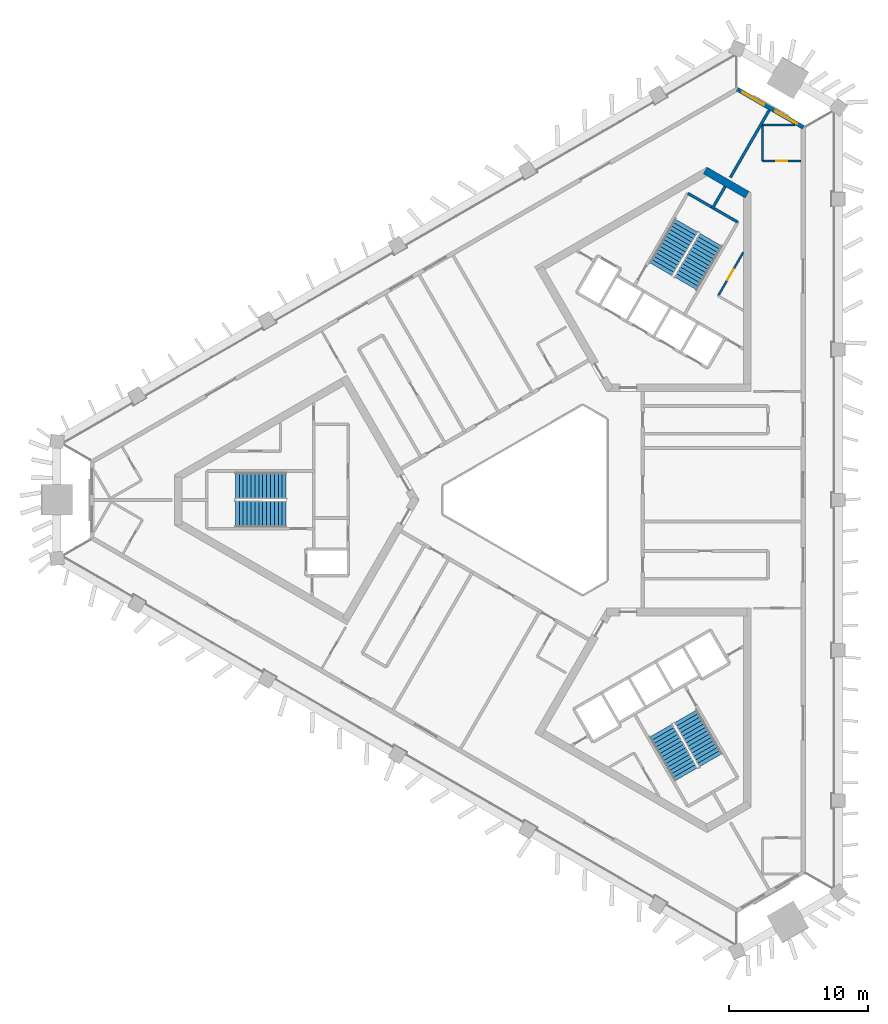
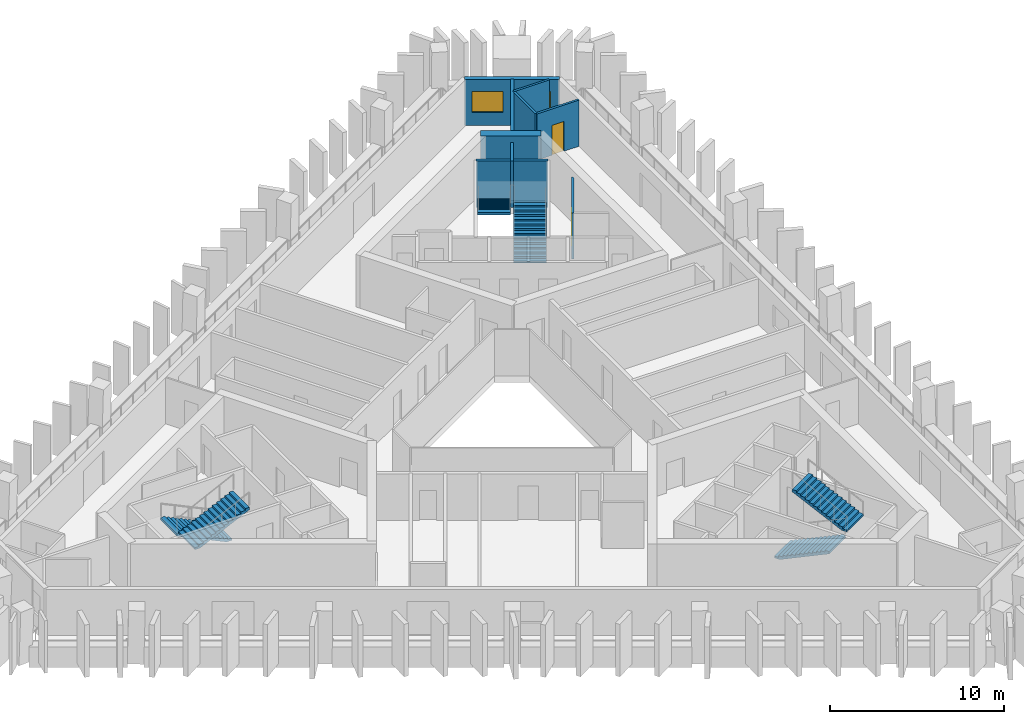
# One storey, part 6 of 9: 9 walls, 6 stair flights, 2 doors, 2 windows, 4 openings, 3 elements without a shape of their own.
"""IFC4 building model written with IfcOpenShell, lengths in metres."""

from ifc_helpers import new_model, si_unit, direction, frame, frame_2d, origin, place, context, subcontext, project, spatial, polyline, rectangle, outline, extrude, material, layer, layer_set, type_object, element, fill, aggregate, save


model = new_model("IFC4")

# Units and contexts
model_context = context("Model", 3, precision=1e-05, world=origin(), true_north=direction((0.0, 1.0)))
body_context = subcontext(model_context, "Body", "Model", "MODEL_VIEW")
ifc_project = project(units=[si_unit("LENGTHUNIT", "METRE"), si_unit("AREAUNIT", "SQUARE_METRE"), si_unit("VOLUMEUNIT", "CUBIC_METRE"), si_unit("PLANEANGLEUNIT", "RADIAN"), si_unit("MASSUNIT", "GRAM", prefix="KILO")], contexts=[model_context])

# Site, building, storey
site_placement = place(None, origin())
site = spatial("IfcSite", under=ifc_project, at=site_placement, CompositionType="ELEMENT")
building_placement = place(site_placement, origin())
building = spatial("IfcBuilding", under=site, at=building_placement, Name="Jabali Bay Hotel Tower and Convention Centre", CompositionType="ELEMENT")
storey_placement = place(building_placement, frame((0.0, 0.0, 171.10009765625)))
storey = spatial("IfcBuildingStorey", under=building, at=storey_placement, Name="L41", CompositionType="ELEMENT", Elevation=171.10009765625)

# Wall
ifc_material_1 = material(Name="Concrete C40", Category="concrete")
ifc_layer_1 = layer(ifc_material_1, 0.199951171875)
ifc_layer_set_1 = layer_set([ifc_layer_1], Name="Concrete C40")
wall_type_1 = type_object("IfcWallType", Name="Core partition wall 200", PredefinedType="PARTITIONING", material=ifc_layer_set_1)
wall_1_placement = place(storey_placement, frame((87.090087890625, 100.9404296875, 0.0), z_axis=(0.0, 0.0, 1.0), x_axis=(0.499951854219, 0.86605319898, 0.0)))
element("IfcWall", 1, at=wall_1_placement, inside=storey, type_object=wall_type_1, Name="Core wall 1.5 L41", PredefinedType="PARTITIONING", context=body_context, shape_type="SweptSolid", body=[
    extrude(rectangle(XDim=1.873291015625, YDim=0.199951171875, at=frame_2d((0.9365234375, 0.0))), origin(), (0.0, 0.0, 1.0), 3.25),
])

# Wall, opening, door
ifc_material_2 = material(Name="Fire-rated board partition")
ifc_layer_2 = layer(ifc_material_2, 0.14990234375)
ifc_layer_set_2 = layer_set([ifc_layer_2], Name="Fire-rated board partition")
wall_type_2 = type_object("IfcWallType", Name="Core room partition 150", PredefinedType="PARTITIONING", material=ifc_layer_set_2)
wall_2_placement = place(storey_placement, frame((87.52099609375, 94.687255859375, 0.0), z_axis=(0.0, 0.0, 1.0), x_axis=(0.500043727655, 0.866000156139, 0.0)))
wall_2 = element("IfcWall", 2, at=wall_2_placement, inside=storey, type_object=wall_type_2, Name="Core wall 1.1 L41", PredefinedType="PARTITIONING", context=body_context, shape_type="SweptSolid", body=[
    extrude(rectangle(XDim=3.617919921875, YDim=0.14990234375, at=frame_2d((1.80908203125, 0.0))), origin(), (0.0, 0.0, 1.0), 3.25),
])
opening_1_placement = place(wall_2_placement, frame((1.33154296875, 0.0, 0.0)))
opening_1 = element("IfcOpeningElement", 3, at=opening_1_placement, cuts=wall_2, Name="Opening D898", PredefinedType="OPENING", context=body_context, shape_type="SweptSolid", body=[
    extrude(rectangle(XDim=0.89990234375, YDim=2.10009765625, at=frame_2d((0.449951171875, 1.050048828125))), frame((0.0, 0.08544921875, 0.0), z_axis=(0.0, -1.0, 0.0), x_axis=(1.0, 0.0, 0.0)), (0.0, 0.0, 1.0), 0.1708984375),
])
ifc_material_3 = material(Name="Fire-rated steel door", Category="steel")
door_type_1 = type_object("IfcDoorType", Name="Core room door 900 x 2100", OperationType="NOTDEFINED", PredefinedType="NOTDEFINED", material=ifc_material_3)
door_1_placement = place(opening_1_placement, origin())
door_1 = element("IfcDoor", 4, at=door_1_placement, inside=storey, type_object=door_type_1, Name="Core room door D898", OperationType="SINGLE_SWING_LEFT", OverallHeight=2.10009765625, OverallWidth=0.89990234375, PredefinedType="NOTDEFINED", context=body_context, shape_type="SweptSolid", body=[
    extrude(rectangle(XDim=0.89990234375, YDim=2.10009765625, at=frame_2d((0.449951171875, 1.050048828125))), frame((0.0, 0.02490234375, 0.0), z_axis=(0.0, -1.0, 0.0), x_axis=(1.0, 0.0, 0.0)), (0.0, 0.0, 1.0), 0.050048828125),
])
fill(opening_1, door_1)

# Walls
ifc_layer_3 = layer(ifc_material_1, 0.199951171875)
ifc_layer_set_3 = layer_set([ifc_layer_3], Name="Concrete C40")
wall_type_3 = type_object("IfcWallType", Name="Core stair wall 200", PredefinedType="SOLIDWALL", material=ifc_layer_set_3)
wall_3_placement = place(storey_placement, frame((88.93701171875, 99.989501953125, 0.0), z_axis=(0.0, 0.0, 1.0), x_axis=(-0.866004344652, 0.500036473714, 0.0)))
element("IfcWall", 5, at=wall_3_placement, inside=storey, type_object=wall_type_3, Name="Core wall 1.15 L41", PredefinedType="SOLIDWALL", context=body_context, shape_type="SweptSolid", body=[
    extrude(rectangle(XDim=4.150146484375, YDim=0.199951171875, at=frame_2d((2.0751953125, 0.0))), origin(), (0.0, 0.0, 1.0), 3.25),
])
ifc_material_4 = material(Name="Concrete C60", Category="concrete")
ifc_layer_4 = layer(ifc_material_4, 0.550048828125)
ifc_layer_set_4 = layer_set([ifc_layer_4], Name="Concrete C60")
wall_type_4 = type_object("IfcWallType", Name="Core wall 550", PredefinedType="SHEAR", material=ifc_layer_set_4)
wall_4_placement = place(storey_placement, frame((89.60498046875, 101.96875, 0.0), z_axis=(0.0, 0.0, 1.0), x_axis=(-0.865997833373, 0.500047750313, 0.0)))
element("IfcWall", 6, at=wall_4_placement, inside=storey, type_object=wall_type_4, Name="Core wall 2.3 L41", PredefinedType="SHEAR", context=body_context, shape_type="SweptSolid", body=[
    extrude(rectangle(XDim=3.486572265625, YDim=0.550048828125, at=frame_2d((1.7431640625, 0.0))), origin(), (0.0, 0.0, 1.0), 3.699951171875),
])

# Wall, openings, windows
ifc_layer_5 = layer(ifc_material_1, 0.300048828125)
ifc_layer_set_5 = layer_set([ifc_layer_5], Name="Concrete C40")
wall_type_5 = type_object("IfcWallType", Name="External wall 300", PredefinedType="SOLIDWALL", material=ifc_layer_set_5)
wall_5_placement = place(storey_placement, frame((88.89892578125, 109.561279296875, 0.0), z_axis=(0.0, 0.0, 1.0), x_axis=(0.866038895281, -0.499976631314, 0.0)))
wall_5 = element("IfcWall", 7, at=wall_5_placement, inside=storey, type_object=wall_type_5, Name="External wall north-east chamfer L41", PredefinedType="SOLIDWALL", context=body_context, shape_type="SweptSolid", body=[
    extrude(rectangle(XDim=5.487548828125, YDim=0.300048828125, at=frame_2d((2.74365234375, 0.0))), origin(), (0.0, 0.0, 1.0), 3.25),
])
opening_2_placement = place(wall_5_placement, frame((3.169677734375, 0.0, 0.89990234375)))
opening_2 = element("IfcOpeningElement", 8, at=opening_2_placement, cuts=wall_5, Name="Opening W1", PredefinedType="OPENING", context=body_context, shape_type="SweptSolid", body=[
    extrude(rectangle(XDim=1.800048828125, YDim=1.5, at=frame_2d((0.89990234375, 0.75))), frame((0.0, 0.16064453125, 0.0), z_axis=(0.0, -1.0, 0.0), x_axis=(1.0, 0.0, 0.0)), (0.0, 0.0, 1.0), 0.321044921875),
])
opening_3_placement = place(wall_5_placement, frame((0.428955078125, 0.0, 0.89990234375)))
opening_3 = element("IfcOpeningElement", 9, at=opening_3_placement, cuts=wall_5, Name="Opening W1", PredefinedType="OPENING", context=body_context, shape_type="SweptSolid", body=[
    extrude(rectangle(XDim=1.800048828125, YDim=1.5, at=frame_2d((0.89990234375, 0.75))), frame((0.0, 0.16064453125, 0.0), z_axis=(0.0, -1.0, 0.0), x_axis=(1.0, 0.0, 0.0)), (0.0, 0.0, 1.0), 0.321044921875),
])
ifc_material_5 = material(Name="Glass", Category="glass")
window_type = type_object("IfcWindowType", Name="Window 1800 x 1500", PartitioningType="SINGLE_PANEL", PredefinedType="WINDOW", material=ifc_material_5)
window_1_placement = place(opening_2_placement, origin())
window_1 = element("IfcWindow", 10, at=window_1_placement, inside=storey, type_object=window_type, Name="Window 4103", OverallHeight=1.5, OverallWidth=1.800048828125, PartitioningType="SINGLE_PANEL", PredefinedType="WINDOW", context=body_context, shape_type="SweptSolid", body=[
    extrude(rectangle(XDim=1.800048828125, YDim=1.5, at=frame_2d((0.89990234375, 0.75))), frame((0.0, 0.030029296875, 0.0), z_axis=(0.0, -1.0, 0.0), x_axis=(1.0, 0.0, 0.0)), (0.0, 0.0, 1.0), 0.06005859375),
])
fill(opening_2, window_1)
window_2_placement = place(opening_3_placement, origin())
window_2 = element("IfcWindow", 11, at=window_2_placement, inside=storey, type_object=window_type, Name="Window 4105", OverallHeight=1.5, OverallWidth=1.800048828125, PartitioningType="SINGLE_PANEL", PredefinedType="WINDOW", context=body_context, shape_type="SweptSolid", body=[
    extrude(rectangle(XDim=1.800048828125, YDim=1.5, at=frame_2d((0.89990234375, 0.75))), frame((0.0, 0.030029296875, 0.0), z_axis=(0.0, -1.0, 0.0), x_axis=(1.0, 0.0, 0.0)), (0.0, 0.0, 1.0), 0.06005859375),
])
fill(opening_3, window_2)

# Wall, opening, door
ifc_material_6 = material(Name="Plasterboard on steel stud", Category="steel")
ifc_layer_6 = layer(ifc_material_6, 0.14990234375)
ifc_layer_set_6 = layer_set([ifc_layer_6], Name="Plasterboard on steel stud")
wall_type_6 = type_object("IfcWallType", Name="Partition 150 wet", PredefinedType="PARTITIONING", material=ifc_layer_set_6)
wall_6_placement = place(storey_placement, frame((93.50244140625, 104.394287109375, 0.0), z_axis=(0.0, 0.0, 1.0), x_axis=(-1.0, 0.0, 0.0)))
wall_6 = element("IfcWall", 12, at=wall_6_placement, inside=storey, type_object=wall_type_6, Name="Partition P03 L41 015", PredefinedType="PARTITIONING", context=body_context, shape_type="SweptSolid", body=[
    extrude(rectangle(XDim=2.80078125, YDim=0.14990234375, at=frame_2d((1.400390625, 0.0))), origin(), (0.0, 0.0, 1.0), 3.25),
])
opening_4_placement = place(wall_6_placement, frame((1.0, 0.0, 0.0)))
opening_4 = element("IfcOpeningElement", 13, at=opening_4_placement, cuts=wall_6, Name="Opening 4108", PredefinedType="OPENING", context=body_context, shape_type="SweptSolid", body=[
    extrude(rectangle(XDim=0.800048828125, YDim=2.10009765625, at=frame_2d((0.39990234375, 1.050048828125))), frame((0.0, 0.08544921875, 0.0), z_axis=(0.0, -1.0, 0.0), x_axis=(1.0, 0.0, 0.0)), (0.0, 0.0, 1.0), 0.1708984375),
])
ifc_material_7 = material(Name="Timber", Category="wood")
door_type_2 = type_object("IfcDoorType", Name="En-suite door 800 x 2100", OperationType="NOTDEFINED", PredefinedType="NOTDEFINED", material=ifc_material_7)
door_2_placement = place(opening_4_placement, origin())
door_2 = element("IfcDoor", 14, at=door_2_placement, inside=storey, type_object=door_type_2, Name="Door 4108", OperationType="SINGLE_SWING_RIGHT", OverallHeight=2.10009765625, OverallWidth=0.800048828125, PredefinedType="NOTDEFINED", context=body_context, shape_type="SweptSolid", body=[
    extrude(rectangle(XDim=0.800048828125, YDim=2.10009765625, at=frame_2d((0.39990234375, 1.050048828125))), frame((0.0, 0.02490234375, 0.0), z_axis=(0.0, -1.0, 0.0), x_axis=(1.0, 0.0, 0.0)), (0.0, 0.0, 1.0), 0.050048828125),
])
fill(opening_4, door_2)

# Walls
wall_7_placement = place(storey_placement, frame((90.70166015625, 104.394287109375, 0.0), z_axis=(0.0, 0.0, 1.0), x_axis=(0.0, 1.0, 0.0)))
element("IfcWall", 15, at=wall_7_placement, inside=storey, type_object=wall_type_6, Name="Partition P03 L41 016", PredefinedType="PARTITIONING", context=body_context, shape_type="SweptSolid", body=[
    extrude(rectangle(XDim=2.599853515625, YDim=0.14990234375, at=frame_2d((1.2998046875, 0.0))), origin(), (0.0, 0.0, 1.0), 3.25),
])
wall_8_placement = place(storey_placement, frame((90.70166015625, 106.994140625, 0.0), z_axis=(0.0, 0.0, 1.0), x_axis=(1.0, 0.0, 0.0)))
element("IfcWall", 16, at=wall_8_placement, inside=storey, type_object=wall_type_6, Name="Partition P03 L41 017", PredefinedType="PARTITIONING", context=body_context, shape_type="SweptSolid", body=[
    extrude(rectangle(XDim=2.345703125, YDim=0.14990234375, at=frame_2d((1.1728515625, 0.0))), origin(), (0.0, 0.0, 1.0), 3.25),
])
ifc_layer_7 = layer(ifc_material_6, 0.199951171875)
ifc_layer_set_7 = layer_set([ifc_layer_7], Name="Plasterboard on steel stud")
wall_type_7 = type_object("IfcWallType", Name="Partition 200 party", PredefinedType="PARTITIONING", material=ifc_layer_set_7)
wall_9_placement = place(storey_placement, frame((91.20166015625, 108.059814453125, 0.0), z_axis=(0.0, 0.0, 1.0), x_axis=(-0.500021875362, -0.86601277367, 0.0)))
element("IfcWall", 17, at=wall_9_placement, inside=storey, type_object=wall_type_7, Name="Partition P01 L41 018", PredefinedType="PARTITIONING", context=body_context, shape_type="SweptSolid", body=[
    extrude(rectangle(XDim=5.599365234375, YDim=0.199951171875, at=frame_2d((2.7998046875, 0.0))), origin(), (0.0, 0.0, 1.0), 3.25),
])

# Stair, stair flights
stair_type = type_object("IfcStairType", Name="Exit stair 1900", PredefinedType="HALF_TURN_STAIR", material=ifc_material_1)
stair_1_placement = place(storey_placement, origin())
stair_1 = element("IfcStair", 18, at=stair_1_placement, inside=storey, type_object=stair_type, Name="L41 Exit Stair 1", PredefinedType="HALF_TURN_STAIR")
stair_flight_type = type_object("IfcStairFlightType", Name="Stair flight concrete 150", PredefinedType="STRAIGHT", material=ifc_material_1)
stair_flight_1_placement = place(storey_placement, frame((56.419921875, 81.02490234375, 0.0), z_axis=(0.0, 0.0, 1.0), x_axis=(-1.0, 0.0, 0.0)))
stair_flight_1 = element("IfcStairFlight", 19, at=stair_flight_1_placement, type_object=stair_flight_type, Name="ST1 flight 1", NumberOfRisers=14, NumberOfTreads=13, PredefinedType="STRAIGHT", RiserHeight=0.132142857, TreadLength=0.28, context=body_context, shape_type="SweptSolid", body=[
    extrude(outline(polyline([(0.0, 0.0), (0.0, 0.132080078125), (0.280029296875, 0.132080078125), (0.280029296875, 0.264404296875), (0.56005859375, 0.264404296875), (0.56005859375, 0.396484375), (0.840087890625, 0.396484375), (0.840087890625, 0.528564453125), (1.1201171875, 0.528564453125), (1.1201171875, 0.66064453125), (1.39990234375, 0.66064453125), (1.39990234375, 0.79296875), (1.679931640625, 0.79296875), (1.679931640625, 0.925048828125), (1.9599609375, 0.925048828125), (1.9599609375, 1.05712890625), (2.239990234375, 1.05712890625), (2.239990234375, 1.189208984375), (2.52001953125, 1.189208984375), (2.52001953125, 1.321533203125), (2.800048828125, 1.321533203125), (2.800048828125, 1.45361328125), (3.080078125, 1.45361328125), (3.080078125, 1.585693359375), (3.360107421875, 1.585693359375), (3.360107421875, 1.7177734375), (3.639892578125, 1.7177734375), (3.639892578125, 1.85009765625), (3.639892578125, 1.552001953125), (0.351318359375, 0.0), (0.0, 0.0)])), frame((0.0, 0.949951171875, 0.0), z_axis=(0.0, -1.0, 0.0), x_axis=(1.0, 0.0, 0.0)), (0.0, 0.0, 1.0), 1.89990234375),
])
stair_flight_2_placement = place(storey_placement, frame((52.780029296875, 78.97509765625, 1.849853515625), z_axis=(0.0, 0.0, 1.0), x_axis=(1.0, 0.0, 0.0)))
stair_flight_2 = element("IfcStairFlight", 20, at=stair_flight_2_placement, type_object=stair_flight_type, Name="ST1 flight 2", NumberOfRisers=14, NumberOfTreads=13, PredefinedType="STRAIGHT", RiserHeight=0.132142857, TreadLength=0.28, context=body_context, shape_type="SweptSolid", body=[
    extrude(outline(polyline([(0.0, 0.0), (0.0, 0.132080078125), (0.280029296875, 0.132080078125), (0.280029296875, 0.264404296875), (0.56005859375, 0.264404296875), (0.56005859375, 0.396484375), (0.840087890625, 0.396484375), (0.840087890625, 0.528564453125), (1.1201171875, 0.528564453125), (1.1201171875, 0.66064453125), (1.39990234375, 0.66064453125), (1.39990234375, 0.79296875), (1.679931640625, 0.79296875), (1.679931640625, 0.925048828125), (1.9599609375, 0.925048828125), (1.9599609375, 1.05712890625), (2.239990234375, 1.05712890625), (2.239990234375, 1.189208984375), (2.52001953125, 1.189208984375), (2.52001953125, 1.321533203125), (2.800048828125, 1.321533203125), (2.800048828125, 1.45361328125), (3.080078125, 1.45361328125), (3.080078125, 1.585693359375), (3.360107421875, 1.585693359375), (3.360107421875, 1.7177734375), (3.639892578125, 1.7177734375), (3.639892578125, 1.85009765625), (3.639892578125, 1.552001953125), (0.351318359375, 0.0), (0.0, 0.0)])), frame((0.0, 0.949951171875, 0.0), z_axis=(0.0, -1.0, 0.0), x_axis=(1.0, 0.0, 0.0)), (0.0, 0.0, 1.0), 1.89990234375),
])
aggregate(stair_1, [stair_flight_1, stair_flight_2])

stair_2_placement = place(storey_placement, origin())
stair_2 = element("IfcStair", 21, at=stair_2_placement, inside=storey, type_object=stair_type, Name="L41 Exit Stair 2", PredefinedType="HALF_TURN_STAIR")
stair_flight_3_placement = place(storey_placement, frame((85.177734375, 95.578369140625, 0.0), z_axis=(0.0, 0.0, 1.0), x_axis=(0.5, 0.866025403784, 0.0)))
stair_flight_3 = element("IfcStairFlight", 22, at=stair_flight_3_placement, type_object=stair_flight_type, Name="ST2 flight 1", NumberOfRisers=14, NumberOfTreads=13, PredefinedType="STRAIGHT", RiserHeight=0.132142857, TreadLength=0.28, context=body_context, shape_type="SweptSolid", body=[
    extrude(outline(polyline([(0.0, 0.0), (0.0, 0.132080078125), (0.280029296875, 0.132080078125), (0.280029296875, 0.264404296875), (0.56005859375, 0.264404296875), (0.56005859375, 0.396484375), (0.840087890625, 0.396484375), (0.840087890625, 0.528564453125), (1.1201171875, 0.528564453125), (1.1201171875, 0.66064453125), (1.39990234375, 0.66064453125), (1.39990234375, 0.79296875), (1.679931640625, 0.79296875), (1.679931640625, 0.925048828125), (1.9599609375, 0.925048828125), (1.9599609375, 1.05712890625), (2.239990234375, 1.05712890625), (2.239990234375, 1.189208984375), (2.52001953125, 1.189208984375), (2.52001953125, 1.321533203125), (2.800048828125, 1.321533203125), (2.800048828125, 1.45361328125), (3.080078125, 1.45361328125), (3.080078125, 1.585693359375), (3.360107421875, 1.585693359375), (3.360107421875, 1.7177734375), (3.639892578125, 1.7177734375), (3.639892578125, 1.85009765625), (3.639892578125, 1.552001953125), (0.351318359375, 0.0), (0.0, 0.0)])), frame((0.0, 0.949951171875, 0.0), z_axis=(0.0, -1.0, 0.0), x_axis=(1.0, 0.0, 0.0)), (0.0, 0.0, 1.0), 1.89990234375),
])
stair_flight_4_placement = place(storey_placement, frame((85.222412109375, 99.755615234375, 1.849853515625), z_axis=(0.0, 0.0, 1.0), x_axis=(-0.5, -0.866025403784, 0.0)))
stair_flight_4 = element("IfcStairFlight", 23, at=stair_flight_4_placement, type_object=stair_flight_type, Name="ST2 flight 2", NumberOfRisers=14, NumberOfTreads=13, PredefinedType="STRAIGHT", RiserHeight=0.132142857, TreadLength=0.28, context=body_context, shape_type="SweptSolid", body=[
    extrude(outline(polyline([(0.0, 0.0), (0.0, 0.132080078125), (0.280029296875, 0.132080078125), (0.280029296875, 0.264404296875), (0.56005859375, 0.264404296875), (0.56005859375, 0.396484375), (0.840087890625, 0.396484375), (0.840087890625, 0.528564453125), (1.1201171875, 0.528564453125), (1.1201171875, 0.66064453125), (1.39990234375, 0.66064453125), (1.39990234375, 0.79296875), (1.679931640625, 0.79296875), (1.679931640625, 0.925048828125), (1.9599609375, 0.925048828125), (1.9599609375, 1.05712890625), (2.239990234375, 1.05712890625), (2.239990234375, 1.189208984375), (2.52001953125, 1.189208984375), (2.52001953125, 1.321533203125), (2.800048828125, 1.321533203125), (2.800048828125, 1.45361328125), (3.080078125, 1.45361328125), (3.080078125, 1.585693359375), (3.360107421875, 1.585693359375), (3.360107421875, 1.7177734375), (3.639892578125, 1.7177734375), (3.639892578125, 1.85009765625), (3.639892578125, 1.552001953125), (0.351318359375, 0.0), (0.0, 0.0)])), frame((0.0, 0.949951171875, 0.0), z_axis=(0.0, -1.0, 0.0), x_axis=(1.0, 0.0, 0.0)), (0.0, 0.0, 1.0), 1.89990234375),
])
aggregate(stair_2, [stair_flight_3, stair_flight_4])

stair_3_placement = place(storey_placement, origin())
stair_3 = element("IfcStair", 24, at=stair_3_placement, inside=storey, type_object=stair_type, Name="L41 Exit Stair 3", PredefinedType="HALF_TURN_STAIR")
stair_flight_5_placement = place(storey_placement, frame((83.40234375, 63.396728515625, 0.0), z_axis=(0.0, 0.0, 1.0), x_axis=(0.5, -0.866025403784, 0.0)))
stair_flight_5 = element("IfcStairFlight", 25, at=stair_flight_5_placement, type_object=stair_flight_type, Name="ST3 flight 1", NumberOfRisers=14, NumberOfTreads=13, PredefinedType="STRAIGHT", RiserHeight=0.132142857, TreadLength=0.28, context=body_context, shape_type="SweptSolid", body=[
    extrude(outline(polyline([(0.0, 0.0), (0.0, 0.132080078125), (0.280029296875, 0.132080078125), (0.280029296875, 0.264404296875), (0.56005859375, 0.264404296875), (0.56005859375, 0.396484375), (0.840087890625, 0.396484375), (0.840087890625, 0.528564453125), (1.1201171875, 0.528564453125), (1.1201171875, 0.66064453125), (1.39990234375, 0.66064453125), (1.39990234375, 0.79296875), (1.679931640625, 0.79296875), (1.679931640625, 0.925048828125), (1.9599609375, 0.925048828125), (1.9599609375, 1.05712890625), (2.239990234375, 1.05712890625), (2.239990234375, 1.189208984375), (2.52001953125, 1.189208984375), (2.52001953125, 1.321533203125), (2.800048828125, 1.321533203125), (2.800048828125, 1.45361328125), (3.080078125, 1.45361328125), (3.080078125, 1.585693359375), (3.360107421875, 1.585693359375), (3.360107421875, 1.7177734375), (3.639892578125, 1.7177734375), (3.639892578125, 1.85009765625), (3.639892578125, 1.552001953125), (0.351318359375, 0.0), (0.0, 0.0)])), frame((0.0, 0.949951171875, 0.0), z_axis=(0.0, -1.0, 0.0), x_axis=(1.0, 0.0, 0.0)), (0.0, 0.0, 1.0), 1.89990234375),
])
stair_flight_6_placement = place(storey_placement, frame((86.99755859375, 61.26953125, 1.849853515625), z_axis=(0.0, 0.0, 1.0), x_axis=(-0.5, 0.866025403784, 0.0)))
stair_flight_6 = element("IfcStairFlight", 26, at=stair_flight_6_placement, type_object=stair_flight_type, Name="ST3 flight 2", NumberOfRisers=14, NumberOfTreads=13, PredefinedType="STRAIGHT", RiserHeight=0.132142857, TreadLength=0.28, context=body_context, shape_type="SweptSolid", body=[
    extrude(outline(polyline([(0.0, 0.0), (0.0, 0.132080078125), (0.280029296875, 0.132080078125), (0.280029296875, 0.264404296875), (0.56005859375, 0.264404296875), (0.56005859375, 0.396484375), (0.840087890625, 0.396484375), (0.840087890625, 0.528564453125), (1.1201171875, 0.528564453125), (1.1201171875, 0.66064453125), (1.39990234375, 0.66064453125), (1.39990234375, 0.79296875), (1.679931640625, 0.79296875), (1.679931640625, 0.925048828125), (1.9599609375, 0.925048828125), (1.9599609375, 1.05712890625), (2.239990234375, 1.05712890625), (2.239990234375, 1.189208984375), (2.52001953125, 1.189208984375), (2.52001953125, 1.321533203125), (2.800048828125, 1.321533203125), (2.800048828125, 1.45361328125), (3.080078125, 1.45361328125), (3.080078125, 1.585693359375), (3.360107421875, 1.585693359375), (3.360107421875, 1.7177734375), (3.639892578125, 1.7177734375), (3.639892578125, 1.85009765625), (3.639892578125, 1.552001953125), (0.351318359375, 0.0), (0.0, 0.0)])), frame((0.0, 0.949951171875, 0.0), z_axis=(0.0, -1.0, 0.0), x_axis=(1.0, 0.0, 0.0)), (0.0, 0.0, 1.0), 1.89990234375),
])
aggregate(stair_3, [stair_flight_5, stair_flight_6])

save(model, "model.ifc")
